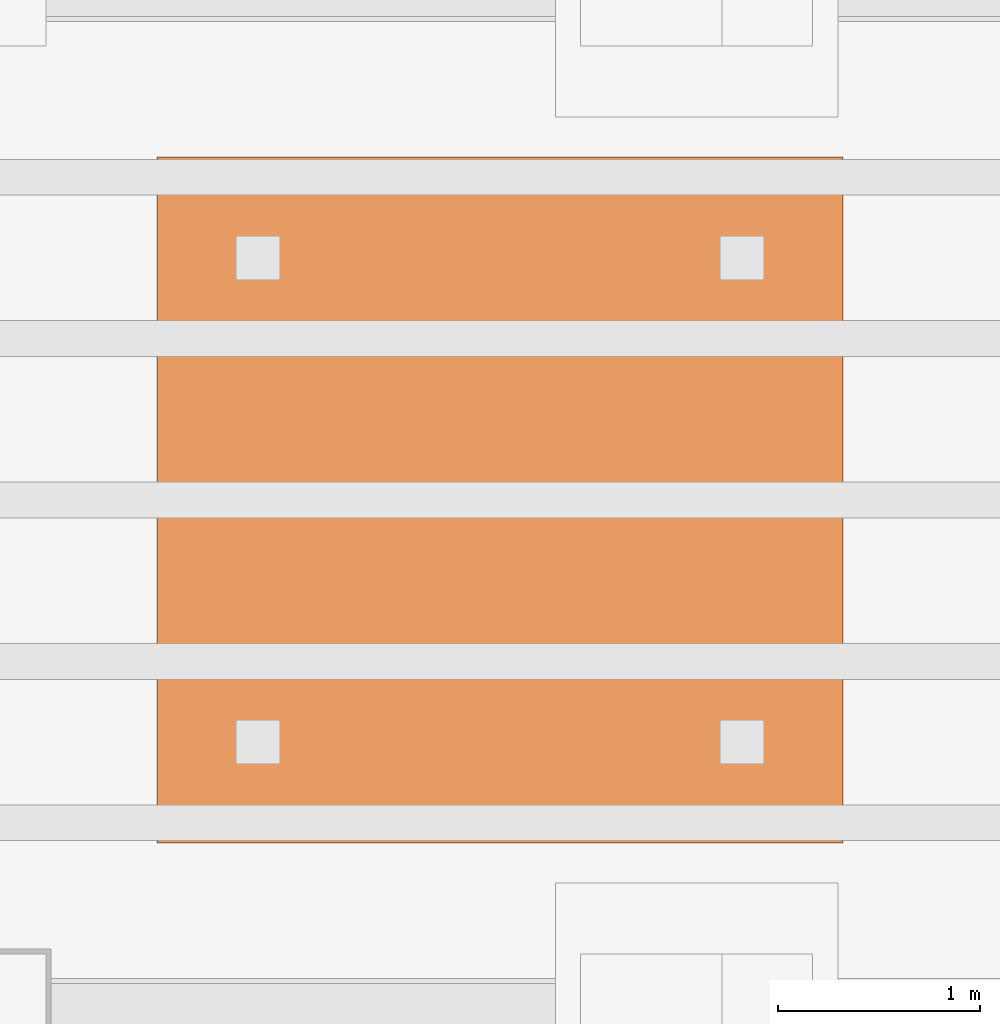
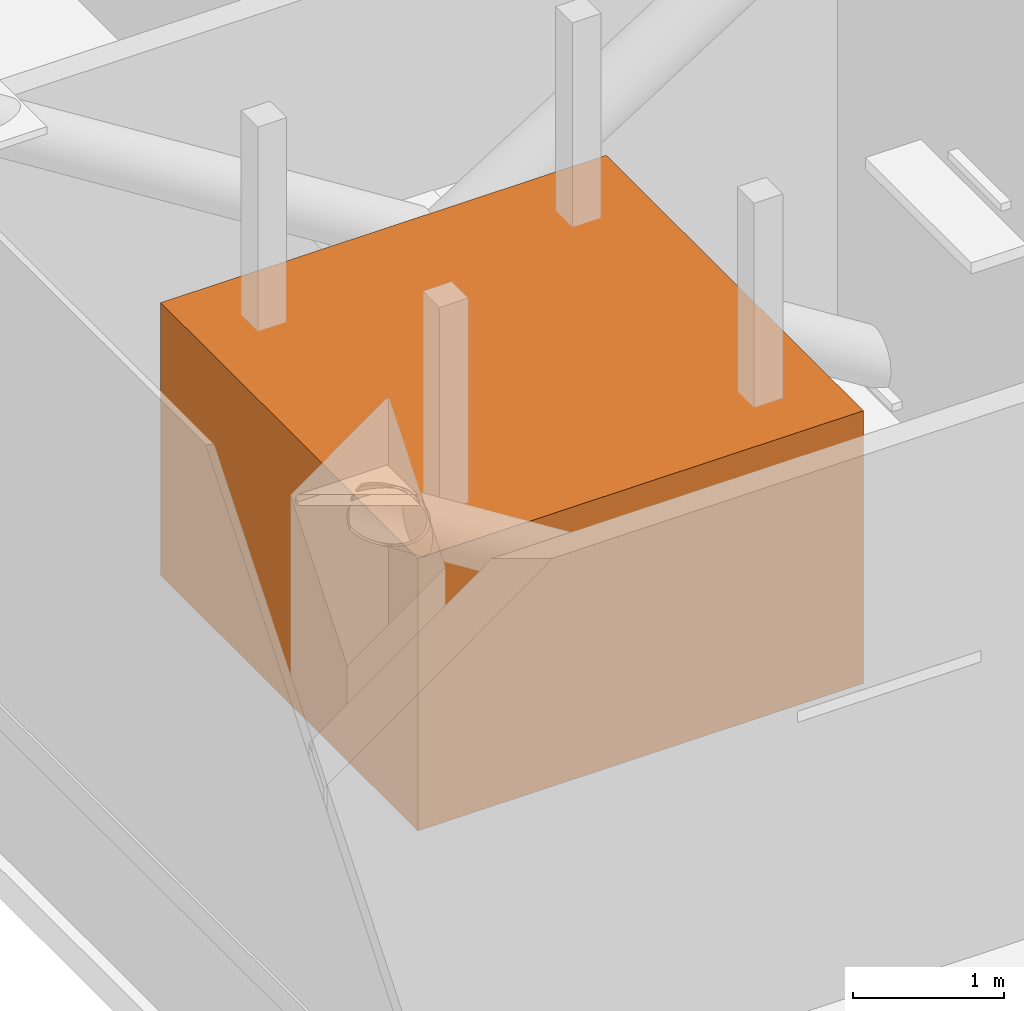
# One storey, part 13 of 13: 1 proxy.
"""IFC4 building model written with IfcOpenShell, lengths in metres."""

from ifc_helpers import new_model, si_unit, direction, frame, origin, origin_2d, place, context, subcontext, project, spatial, rectangle, extrude, source, transform, mapped, material, type_object, element, save


model = new_model("IFC4")

# Units and contexts
model_context = context("Model", 3, precision=1e-05, world=origin(), true_north=direction((0.0, 1.0)))
body_context = subcontext(model_context, "Body", "Model", "MODEL_VIEW")
ifc_project = project(units=[si_unit("LENGTHUNIT", "METRE"), si_unit("AREAUNIT", "SQUARE_METRE"), si_unit("VOLUMEUNIT", "CUBIC_METRE"), si_unit("PLANEANGLEUNIT", "RADIAN"), si_unit("MASSUNIT", "GRAM", prefix="KILO")], contexts=[model_context])

# Site, building, storey
site_placement = place(None, origin())
site = spatial("IfcSite", under=ifc_project, at=site_placement, CompositionType="ELEMENT")
building_placement = place(site_placement, origin())
building = spatial("IfcBuilding", under=site, at=building_placement, Name="Valdorenza Pilgrim Sanctuary Tower", CompositionType="ELEMENT")
storey_placement = place(building_placement, frame((0.0, 0.0, 294.199951171875)))
storey = spatial("IfcBuildingStorey", under=building, at=storey_placement, Name="L77", CompositionType="ELEMENT", Elevation=294.199951171875)

# Proxy
ifc_material = material(Name="Steel ASTM A572 Grade 42", Category="steel")
building_element_proxy_type = type_object("IfcBuildingElementProxyType", Name="PRX-TMD-650T", PredefinedType="USERDEFINED", material=ifc_material)
shared_shape = source(origin(), body_context, "Body", "SweptSolid", [
    extrude(rectangle(XDim=3.39990234375, YDim=3.39990234375, at=origin_2d()), origin(), (0.0, 0.0, 1.0), 2.199951171875),
])
proxy_placement = place(storey_placement, frame((-27.199951171875, 0.0, 1.2001953125), z_axis=(0.0, 0.0, 1.0), x_axis=(1.0, 0.0, 0.0)))
element("IfcBuildingElementProxy", 1, at=proxy_placement, inside=storey, type_object=building_element_proxy_type, Name="Tuned Mass Damper TMD-1 Pendulum Mass", ObjectType="DAMPER", PredefinedType="USERDEFINED", context=body_context, shape_type="MappedRepresentation", body=[
    mapped(shared_shape, transform((0.0, 0.0, 0.0), x_axis=(1.0, 0.0, 0.0), y_axis=(0.0, 1.0, 0.0), z_axis=(0.0, 0.0, 1.0), scale=1.0)),
])

save(model, "model.ifc")
